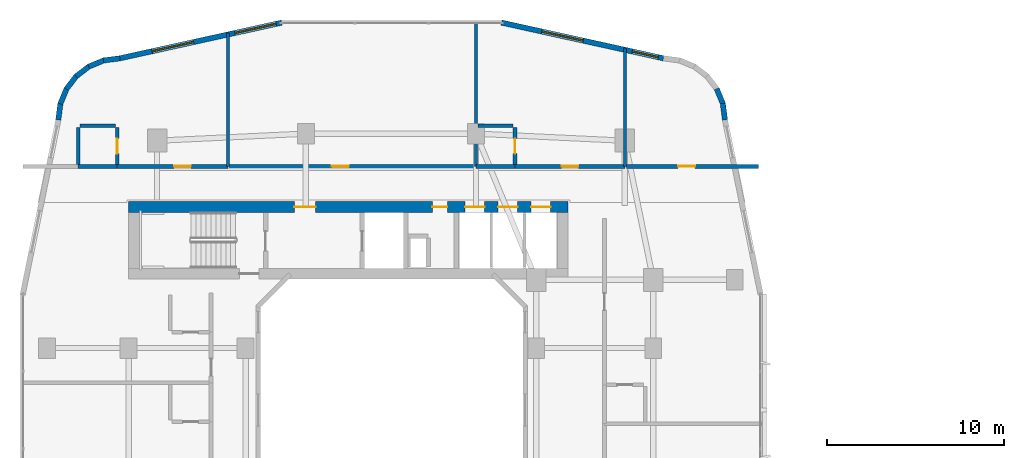
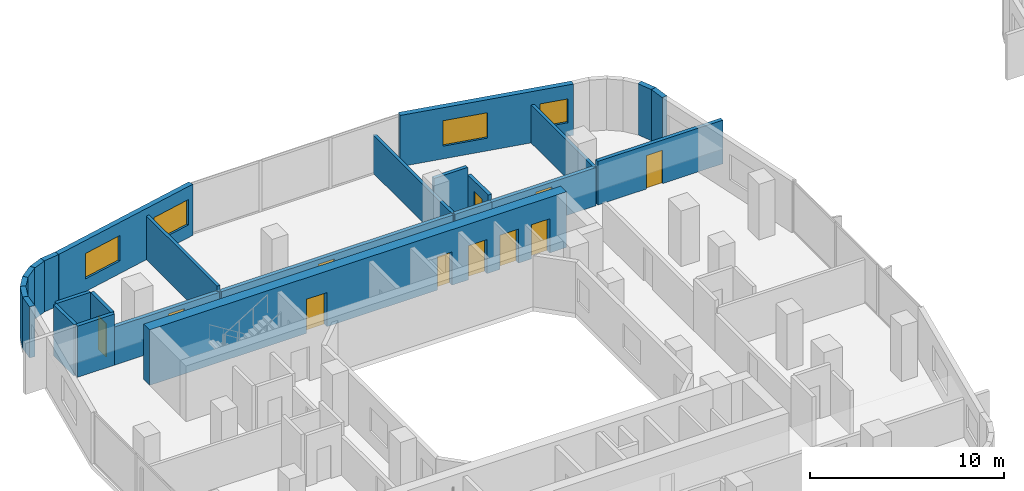
# One storey, part 16 of 26: 25 walls, 11 doors, 4 windows, 15 openings.
"""IFC4 building model written with IfcOpenShell, lengths in metres."""

from ifc_helpers import new_model, si_unit, derived_unit, direction, frame, frame_2d, origin, place, context, subcontext, project, spatial, rectangle, extrude, material, layer, layer_set, type_object, element, fill, save


model = new_model("IFC4")

# Units and contexts
model_context = context("Model", 3, precision=1e-05, world=origin(), true_north=direction((0.0, 1.0)))
body_context = subcontext(model_context, "Body", "Model", "MODEL_VIEW")
ifc_project = project(units=[si_unit("LENGTHUNIT", "METRE"), si_unit("AREAUNIT", "SQUARE_METRE"), si_unit("VOLUMEUNIT", "CUBIC_METRE"), si_unit("PLANEANGLEUNIT", "RADIAN"), si_unit("MASSUNIT", "GRAM", prefix="KILO"), derived_unit("THERMALTRANSMITTANCEUNIT", [(si_unit("POWERUNIT", "WATT"), 1), (si_unit("LENGTHUNIT", "METRE"), -2), (si_unit("THERMODYNAMICTEMPERATUREUNIT", "KELVIN"), -1)])], contexts=[model_context])

# Site, building, storey
site_placement = place(None, origin())
site = spatial("IfcSite", under=ifc_project, at=site_placement, CompositionType="ELEMENT")
building_placement = place(site_placement, origin())
building = spatial("IfcBuilding", under=site, at=building_placement, Name="Kivonza Crest Hotel", CompositionType="ELEMENT")
storey_placement = place(building_placement, frame((0.0, 0.0, 45.0)))
storey = spatial("IfcBuildingStorey", under=building, at=storey_placement, Name="L11", CompositionType="ELEMENT", Elevation=45.0)

# Walls
ifc_material_1 = material(Name="High-density acoustic masonry inter-tenancy wall", Category="masonry")
ifc_layer_1 = layer(ifc_material_1, 0.179931640625)
ifc_layer_set_1 = layer_set([ifc_layer_1], Name="High-density acoustic masonry inter-tenancy wall")
wall_type_1 = type_object("IfcWallType", Name="WL-ACOU-180", PredefinedType="SOLIDWALL", material=ifc_layer_set_1)
wall_1_placement = place(storey_placement, frame((11.800048828125, 38.75, 0.0), z_axis=(0.0, 0.0, 1.0), x_axis=(0.0, 1.0, 0.0)))
element("IfcWall", 1, at=wall_1_placement, inside=storey, type_object=wall_type_1, Name="L11 interior partition WA-L11-T1N-DIV1", PredefinedType="SOLIDWALL", context=body_context, shape_type="SweptSolid", body=[
    extrude(rectangle(XDim=7.5380859375, YDim=0.179931640625, at=frame_2d((3.76904296875, 0.0))), origin(), (0.0, 0.0, 1.0), 2.7451171875),
])
wall_2_placement = place(storey_placement, frame((25.800048828125, 38.75, 0.0), z_axis=(0.0, 0.0, 1.0), x_axis=(0.0, 1.0, 0.0)))
element("IfcWall", 2, at=wall_2_placement, inside=storey, type_object=wall_type_1, Name="L11 interior partition WA-L11-T1N-DIV2", PredefinedType="SOLIDWALL", context=body_context, shape_type="SweptSolid", body=[
    extrude(rectangle(XDim=8.18994140625, YDim=0.179931640625, at=frame_2d((4.094970703125, 0.0))), origin(), (0.0, 0.0, 1.0), 2.39501953125),
])
wall_3_placement = place(storey_placement, frame((34.199951171875, 38.75, 0.0), z_axis=(0.0, 0.0, 1.0), x_axis=(0.0, 1.0, 0.0)))
element("IfcWall", 3, at=wall_3_placement, inside=storey, type_object=wall_type_1, Name="L11 interior partition WA-L11-T1N-DIV3", PredefinedType="SOLIDWALL", context=body_context, shape_type="SweptSolid", body=[
    extrude(rectangle(XDim=6.674072265625, YDim=0.179931640625, at=frame_2d((3.3369140625, 0.0))), origin(), (0.0, 0.0, 1.0), 2.39501953125),
])
ifc_material_2 = material(Name="Autoclaved aerated concrete blockwork", Category="masonry")
ifc_layer_2 = layer(ifc_material_2, 0.219970703125)
ifc_layer_set_2 = layer_set([ifc_layer_2], Name="Autoclaved aerated concrete blockwork")
wall_type_2 = type_object("IfcWallType", Name="WL-ACOU-220", PredefinedType="SOLIDWALL", material=ifc_layer_set_2)
wall_4_placement = place(storey_placement, frame((3.35009765625, 38.75, 0.0), z_axis=(0.0, 0.0, 1.0), x_axis=(1.0, 0.0, 0.0)))
element("IfcWall", 4, at=wall_4_placement, inside=storey, type_object=wall_type_2, Name="L11 interior partition WA-L11-N01-BCORR", PredefinedType="SOLIDWALL", context=body_context, shape_type="SweptSolid", body=[
    extrude(rectangle(XDim=2.199951171875, YDim=0.219970703125, at=frame_2d((1.10009765625, 0.0))), origin(), (0.0, 0.0, 1.0), 3.219970703125),
])

# Wall, opening, door
wall_5_placement = place(storey_placement, frame((5.550048828125, 38.75, 0.0), z_axis=(0.0, 0.0, 1.0), x_axis=(1.0, 0.0, 0.0)))
wall_5 = element("IfcWall", 5, at=wall_5_placement, inside=storey, type_object=wall_type_2, Name="L11 interior partition WA-L11-N01-MCORR", PredefinedType="SOLIDWALL", context=body_context, shape_type="SweptSolid", body=[
    extrude(rectangle(XDim=6.25, YDim=0.219970703125, at=frame_2d((3.125, 0.0))), origin(), (0.0, 0.0, 1.0), 2.39501953125),
])
opening_1_placement = place(wall_5_placement, frame((3.2099609375, 0.0, 0.0)))
opening_1 = element("IfcOpeningElement", 6, at=opening_1_placement, cuts=wall_5, Name="Opening DU-60", PredefinedType="OPENING", context=body_context, shape_type="SweptSolid", body=[
    extrude(rectangle(XDim=0.949951171875, YDim=2.10009765625, at=frame_2d((0.47509765625, 1.050048828125))), frame((0.0, 0.1201171875, 0.0), z_axis=(0.0, -1.0, 0.0), x_axis=(1.0, 0.0, 0.0)), (0.0, 0.0, 1.0), 0.239990234375),
])
ifc_material_3 = material(Name="Hardwood timber oak", Category="wood")
door_type_1 = type_object("IfcDoorType", Name="DR-UNIT-950", OperationType="NOTDEFINED", PredefinedType="DOOR", material=ifc_material_3)
door_1_placement = place(opening_1_placement, origin())
door_1 = element("IfcDoor", 7, at=door_1_placement, inside=storey, type_object=door_type_1, Name="L11 N01 guest unit entrance fire door", OperationType="SINGLE_SWING_LEFT", OverallHeight=2.10009765625, OverallWidth=0.949951171875, PredefinedType="DOOR", context=body_context, shape_type="SweptSolid", body=[
    extrude(rectangle(XDim=0.949951171875, YDim=2.10009765625, at=frame_2d((0.47509765625, 1.050048828125))), frame((0.0, 0.02490234375, 0.0), z_axis=(0.0, -1.0, 0.0), x_axis=(1.0, 0.0, 0.0)), (0.0, 0.0, 1.0), 0.050048828125),
])
fill(opening_1, door_1)

wall_6_placement = place(storey_placement, frame((11.89990234375, 38.75, 0.0), z_axis=(0.0, 0.0, 1.0), x_axis=(1.0, 0.0, 0.0)))
wall_6 = element("IfcWall", 8, at=wall_6_placement, inside=storey, type_object=wall_type_2, Name="L11 interior partition WA-L11-HK-MAIN-S", PredefinedType="SOLIDWALL", context=body_context, shape_type="SweptSolid", body=[
    extrude(rectangle(XDim=13.800048828125, YDim=0.219970703125, at=frame_2d((6.89990234375, 0.0))), origin(), (0.0, 0.0, 1.0), 2.39501953125),
])
opening_2_placement = place(wall_6_placement, frame((5.77294921875, 0.0, 0.0)))
opening_2 = element("IfcOpeningElement", 9, at=opening_2_placement, cuts=wall_6, Name="Opening DF-60S", PredefinedType="OPENING", context=body_context, shape_type="SweptSolid", body=[
    extrude(rectangle(XDim=0.949951171875, YDim=2.10009765625, at=frame_2d((0.47509765625, 1.050048828125))), frame((0.0, 0.1201171875, 0.0), z_axis=(0.0, -1.0, 0.0), x_axis=(1.0, 0.0, 0.0)), (0.0, 0.0, 1.0), 0.239990234375),
])
door_type_2 = type_object("IfcDoorType", Name="DR-FD60-950", OperationType="NOTDEFINED", PredefinedType="DOOR", material=ifc_material_3)
door_2_placement = place(opening_2_placement, origin())
door_2 = element("IfcDoor", 10, at=door_2_placement, inside=storey, type_object=door_type_2, Name="L11 Housekeeping and Linen Room door", OperationType="SINGLE_SWING_RIGHT", OverallHeight=2.10009765625, OverallWidth=0.949951171875, PredefinedType="DOOR", context=body_context, shape_type="SweptSolid", body=[
    extrude(rectangle(XDim=0.949951171875, YDim=2.10009765625, at=frame_2d((0.47509765625, 1.050048828125))), frame((0.0, 0.02490234375, 0.0), z_axis=(0.0, -1.0, 0.0), x_axis=(1.0, 0.0, 0.0)), (0.0, 0.0, 1.0), 0.050048828125),
])
fill(opening_2, door_2)

# Wall
wall_7_placement = place(storey_placement, frame((25.800048828125, 38.75, 0.0), z_axis=(0.0, 0.0, 1.0), x_axis=(1.0, 0.0, 0.0)))
element("IfcWall", 11, at=wall_7_placement, inside=storey, type_object=wall_type_2, Name="L11 interior partition WA-L11-N02-BCORR", PredefinedType="SOLIDWALL", context=body_context, shape_type="SweptSolid", body=[
    extrude(rectangle(XDim=2.199951171875, YDim=0.219970703125, at=frame_2d((1.10009765625, 0.0))), origin(), (0.0, 0.0, 1.0), 2.39501953125),
])

# Wall, opening, door
wall_8_placement = place(storey_placement, frame((28.0, 38.75, 0.0), z_axis=(0.0, 0.0, 1.0), x_axis=(1.0, 0.0, 0.0)))
wall_8 = element("IfcWall", 12, at=wall_8_placement, inside=storey, type_object=wall_type_2, Name="L11 interior partition WA-L11-N02-MCORR", PredefinedType="SOLIDWALL", context=body_context, shape_type="SweptSolid", body=[
    extrude(rectangle(XDim=6.199951171875, YDim=0.219970703125, at=frame_2d((3.10009765625, 0.0))), origin(), (0.0, 0.0, 1.0), 2.39501953125),
])
opening_3_placement = place(wall_8_placement, frame((2.625, 0.0, 0.0)))
opening_3 = element("IfcOpeningElement", 13, at=opening_3_placement, cuts=wall_8, Name="Opening DU-60", PredefinedType="OPENING", context=body_context, shape_type="SweptSolid", body=[
    extrude(rectangle(XDim=0.949951171875, YDim=2.10009765625, at=frame_2d((0.47509765625, 1.050048828125))), frame((0.0, 0.1201171875, 0.0), z_axis=(0.0, -1.0, 0.0), x_axis=(1.0, 0.0, 0.0)), (0.0, 0.0, 1.0), 0.239990234375),
])
door_3_placement = place(opening_3_placement, origin())
door_3 = element("IfcDoor", 14, at=door_3_placement, inside=storey, type_object=door_type_1, Name="L11 N02 guest unit entrance fire door", OperationType="SINGLE_SWING_RIGHT", OverallHeight=2.10009765625, OverallWidth=0.949951171875, PredefinedType="DOOR", context=body_context, shape_type="SweptSolid", body=[
    extrude(rectangle(XDim=0.949951171875, YDim=2.10009765625, at=frame_2d((0.47509765625, 1.050048828125))), frame((0.0, 0.02490234375, 0.0), z_axis=(0.0, -1.0, 0.0), x_axis=(1.0, 0.0, 0.0)), (0.0, 0.0, 1.0), 0.050048828125),
])
fill(opening_3, door_3)

wall_9_placement = place(storey_placement, frame((34.300048828125, 38.75, 0.0), z_axis=(0.0, 0.0, 1.0), x_axis=(1.0, 0.0, 0.0)))
wall_9 = element("IfcWall", 15, at=wall_9_placement, inside=storey, type_object=wall_type_2, Name="L11 interior partition WA-L11-N-AMEN-S", PredefinedType="SOLIDWALL", context=body_context, shape_type="SweptSolid", body=[
    extrude(rectangle(XDim=7.43994140625, YDim=0.219970703125, at=frame_2d((3.719970703125, 0.0))), origin(), (0.0, 0.0, 1.0), 2.7451171875),
])
opening_4_placement = place(wall_9_placement, frame((2.910888671875, 0.0, 0.0)))
opening_4 = element("IfcOpeningElement", 16, at=opening_4_placement, cuts=wall_9, Name="Opening DF-60S", PredefinedType="OPENING", context=body_context, shape_type="SweptSolid", body=[
    extrude(rectangle(XDim=0.949951171875, YDim=2.10009765625, at=frame_2d((0.47509765625, 1.050048828125))), frame((0.0, 0.1201171875, 0.0), z_axis=(0.0, -1.0, 0.0), x_axis=(1.0, 0.0, 0.0)), (0.0, 0.0, 1.0), 0.239990234375),
])
door_4_placement = place(opening_4_placement, origin())
door_4 = element("IfcDoor", 17, at=door_4_placement, inside=storey, type_object=door_type_2, Name="L11 Guest Business Office door", OperationType="SINGLE_SWING_LEFT", OverallHeight=2.10009765625, OverallWidth=0.949951171875, PredefinedType="DOOR", context=body_context, shape_type="SweptSolid", body=[
    extrude(rectangle(XDim=0.949951171875, YDim=2.10009765625, at=frame_2d((0.47509765625, 1.050048828125))), frame((0.0, 0.02490234375, 0.0), z_axis=(0.0, -1.0, 0.0), x_axis=(1.0, 0.0, 0.0)), (0.0, 0.0, 1.0), 0.050048828125),
])
fill(opening_4, door_4)

# Wall, openings, doors
ifc_material_4 = material(Name="Concrete C60/75", Category="concrete")
ifc_layer_3 = layer(ifc_material_4, 0.60009765625)
ifc_layer_set_3 = layer_set([ifc_layer_3], Name="Concrete C60/75")
wall_type_3 = type_object("IfcWallType", Name="WL-CORE-600", PredefinedType="SHEAR", material=ifc_layer_set_3)
wall_10_placement = place(storey_placement, frame((6.199951171875, 36.4599609375, 0.0), z_axis=(0.0, 0.0, 1.0), x_axis=(1.0, 0.0, 0.0)))
wall_10 = element("IfcWall", 18, at=wall_10_placement, inside=storey, type_object=wall_type_3, Name="Core wall T1-N North L11", PredefinedType="SHEAR", context=body_context, shape_type="SweptSolid", body=[
    extrude(rectangle(XDim=24.800048828125, YDim=0.60009765625, at=frame_2d((12.39990234375, 0.0))), origin(), (0.0, 0.0, 1.0), 3.5),
])
opening_5_placement = place(wall_10_placement, frame((9.35009765625, 0.0, 0.0)))
opening_5 = element("IfcOpeningElement", 19, at=opening_5_placement, cuts=wall_10, Name="Opening DF-60", PredefinedType="OPENING", context=body_context, shape_type="SweptSolid", body=[
    extrude(rectangle(XDim=1.199951171875, YDim=2.14990234375, at=frame_2d((0.60009765625, 1.074951171875))), frame((0.0, 0.31005859375, 0.0), z_axis=(0.0, -1.0, 0.0), x_axis=(1.0, 0.0, 0.0)), (0.0, 0.0, 1.0), 0.6201171875),
])
opening_6_placement = place(wall_10_placement, frame((17.139892578125, 0.0, 0.0)))
opening_6 = element("IfcOpeningElement", 20, at=opening_6_placement, cuts=wall_10, Name="Opening DF-60R", PredefinedType="OPENING", context=body_context, shape_type="SweptSolid", body=[
    extrude(rectangle(XDim=0.85009765625, YDim=2.10009765625, at=frame_2d((0.425048828125, 1.050048828125))), frame((0.0, 0.31005859375, 0.0), z_axis=(0.0, -1.0, 0.0), x_axis=(1.0, 0.0, 0.0)), (0.0, 0.0, 1.0), 0.6201171875),
])
opening_7_placement = place(wall_10_placement, frame((18.98291015625, 0.0, 0.0)))
opening_7 = element("IfcOpeningElement", 21, at=opening_7_placement, cuts=wall_10, Name="Opening LD-120", PredefinedType="OPENING", context=body_context, shape_type="SweptSolid", body=[
    extrude(rectangle(XDim=1.10009765625, YDim=2.14990234375, at=frame_2d((0.550048828125, 1.074951171875))), frame((0.0, 0.31005859375, 0.0), z_axis=(0.0, -1.0, 0.0), x_axis=(1.0, 0.0, 0.0)), (0.0, 0.0, 1.0), 0.6201171875),
])
opening_8_placement = place(wall_10_placement, frame((20.85009765625, 0.0, 0.0)))
opening_8 = element("IfcOpeningElement", 22, at=opening_8_placement, cuts=wall_10, Name="Opening LD-120", PredefinedType="OPENING", context=body_context, shape_type="SweptSolid", body=[
    extrude(rectangle(XDim=1.10009765625, YDim=2.14990234375, at=frame_2d((0.550048828125, 1.074951171875))), frame((0.0, 0.31005859375, 0.0), z_axis=(0.0, -1.0, 0.0), x_axis=(1.0, 0.0, 0.0)), (0.0, 0.0, 1.0), 0.6201171875),
])
opening_9_placement = place(wall_10_placement, frame((22.716064453125, 0.0, 0.0)))
opening_9 = element("IfcOpeningElement", 23, at=opening_9_placement, cuts=wall_10, Name="Opening LD-120", PredefinedType="OPENING", context=body_context, shape_type="SweptSolid", body=[
    extrude(rectangle(XDim=1.10009765625, YDim=2.14990234375, at=frame_2d((0.550048828125, 1.074951171875))), frame((0.0, 0.31005859375, 0.0), z_axis=(0.0, -1.0, 0.0), x_axis=(1.0, 0.0, 0.0)), (0.0, 0.0, 1.0), 0.6201171875),
])
door_type_3 = type_object("IfcDoorType", Name="DR-FD60-1200", OperationType="NOTDEFINED", PredefinedType="DOOR", material=ifc_material_3)
door_5_placement = place(opening_5_placement, origin())
door_5 = element("IfcDoor", 24, at=door_5_placement, inside=storey, type_object=door_type_3, Name="L11 T1-N firefighting lobby fire door", OperationType="SINGLE_SWING_RIGHT", OverallHeight=2.14990234375, OverallWidth=1.199951171875, PredefinedType="DOOR", context=body_context, shape_type="SweptSolid", body=[
    extrude(rectangle(XDim=1.199951171875, YDim=2.14990234375, at=frame_2d((0.60009765625, 1.074951171875))), frame((0.0, 0.02490234375, 0.0), z_axis=(0.0, -1.0, 0.0), x_axis=(1.0, 0.0, 0.0)), (0.0, 0.0, 1.0), 0.050048828125),
])
fill(opening_5, door_5)
door_type_4 = type_object("IfcDoorType", Name="DR-FD60-850", OperationType="NOTDEFINED", PredefinedType="DOOR", material=ifc_material_3)
door_6_placement = place(opening_6_placement, origin())
door_6 = element("IfcDoor", 25, at=door_6_placement, inside=storey, type_object=door_type_4, Name="L11 T1-N core room door", OperationType="SINGLE_SWING_RIGHT", OverallHeight=2.10009765625, OverallWidth=0.85009765625, PredefinedType="DOOR", context=body_context, shape_type="SweptSolid", body=[
    extrude(rectangle(XDim=0.85009765625, YDim=2.10009765625, at=frame_2d((0.425048828125, 1.050048828125))), frame((0.0, 0.02490234375, 0.0), z_axis=(0.0, -1.0, 0.0), x_axis=(1.0, 0.0, 0.0)), (0.0, 0.0, 1.0), 0.050048828125),
])
fill(opening_6, door_6)
ifc_material_5 = material(Name="Stainless steel", Category="steel")
door_type_5 = type_object("IfcDoorType", Name="DR-LD120-1100", OperationType="NOTDEFINED", PredefinedType="DOOR", material=ifc_material_5)
door_7_placement = place(opening_7_placement, origin())
door_7 = element("IfcDoor", 26, at=door_7_placement, inside=storey, type_object=door_type_5, Name="L11 PL-T1-L1 passenger lift sliding landing door", OperationType="DOUBLE_DOOR_SLIDING", OverallHeight=2.14990234375, OverallWidth=1.10009765625, PredefinedType="DOOR", context=body_context, shape_type="SweptSolid", body=[
    extrude(rectangle(XDim=1.10009765625, YDim=2.14990234375, at=frame_2d((0.550048828125, 1.074951171875))), frame((0.0, 0.02490234375, 0.0), z_axis=(0.0, -1.0, 0.0), x_axis=(1.0, 0.0, 0.0)), (0.0, 0.0, 1.0), 0.050048828125),
])
fill(opening_7, door_7)
door_8_placement = place(opening_8_placement, origin())
door_8 = element("IfcDoor", 27, at=door_8_placement, inside=storey, type_object=door_type_5, Name="L11 PL-T1-L2 passenger lift sliding landing door", OperationType="DOUBLE_DOOR_SLIDING", OverallHeight=2.14990234375, OverallWidth=1.10009765625, PredefinedType="DOOR", context=body_context, shape_type="SweptSolid", body=[
    extrude(rectangle(XDim=1.10009765625, YDim=2.14990234375, at=frame_2d((0.550048828125, 1.074951171875))), frame((0.0, 0.02490234375, 0.0), z_axis=(0.0, -1.0, 0.0), x_axis=(1.0, 0.0, 0.0)), (0.0, 0.0, 1.0), 0.050048828125),
])
fill(opening_8, door_8)
door_9_placement = place(opening_9_placement, origin())
door_9 = element("IfcDoor", 28, at=door_9_placement, inside=storey, type_object=door_type_5, Name="L11 PL-T1-L3 passenger lift sliding landing door", OperationType="DOUBLE_DOOR_SLIDING", OverallHeight=2.14990234375, OverallWidth=1.10009765625, PredefinedType="DOOR", context=body_context, shape_type="SweptSolid", body=[
    extrude(rectangle(XDim=1.10009765625, YDim=2.14990234375, at=frame_2d((0.550048828125, 1.074951171875))), frame((0.0, 0.02490234375, 0.0), z_axis=(0.0, -1.0, 0.0), x_axis=(1.0, 0.0, 0.0)), (0.0, 0.0, 1.0), 0.050048828125),
])
fill(opening_9, door_9)

# Walls
ifc_material_6 = material(Name="Precast concrete C40/50", Category="concrete")
ifc_layer_4 = layer(ifc_material_6, 0.300048828125)
ifc_layer_set_4 = layer_set([ifc_layer_4], Name="Precast concrete C40/50")
wall_type_4 = type_object("IfcWallType", Name="WL-EXT-300", PredefinedType="STANDARD", material=ifc_layer_set_4)
wall_11_placement = place(storey_placement, frame((39.85205078125, 41.3720703125, 0.0), z_axis=(0.0, 0.0, 1.0), x_axis=(-0.131174864804, 0.991359246108, 0.0)))
element("IfcWall", 29, at=wall_11_placement, inside=storey, type_object=wall_type_4, Name="L11 T1 exterior insulated wall 19", PredefinedType="STANDARD", context=body_context, shape_type="SweptSolid", body=[
    extrude(rectangle(XDim=0.93798828125, YDim=0.300048828125, at=frame_2d((0.468994140625, 0.0))), origin(), (0.0, 0.0, 1.0), 3.219970703125),
])
wall_12_placement = place(storey_placement, frame((39.748046875, 42.251953125, 0.0), z_axis=(0.0, 0.0, 1.0), x_axis=(-0.382344263057, 0.924019948111, 0.0)))
element("IfcWall", 30, at=wall_12_placement, inside=storey, type_object=wall_type_4, Name="L11 T1 exterior insulated wall 20", PredefinedType="STANDARD", context=body_context, shape_type="SweptSolid", body=[
    extrude(rectangle(XDim=0.95458984375, YDim=0.300048828125, at=frame_2d((0.477294921875, 0.0))), origin(), (0.0, 0.0, 1.0), 3.219970703125),
])

# Wall, openings, windows
wall_13_placement = place(storey_placement, frame((36.3759765625, 44.85205078125, 0.0), z_axis=(0.0, 0.0, 1.0), x_axis=(-0.97654500432, 0.215313386808, 0.0)))
wall_13 = element("IfcWall", 31, at=wall_13_placement, inside=storey, type_object=wall_type_4, Name="L11 T1 exterior insulated wall 25", PredefinedType="STANDARD", context=body_context, shape_type="SweptSolid", body=[
    extrude(rectangle(XDim=9.353515625, YDim=0.300048828125, at=frame_2d((4.6767578125, 0.0))), origin(), (0.0, 0.0, 1.0), 3.219970703125),
])
opening_10_placement = place(wall_13_placement, frame((0.299072265625, 0.0, 0.85009765625)))
opening_10 = element("IfcOpeningElement", 32, at=opening_10_placement, cuts=wall_13, Name="Opening WN-02", PredefinedType="OPENING", context=body_context, shape_type="SweptSolid", body=[
    extrude(rectangle(XDim=1.5, YDim=1.5, at=frame_2d((0.75, 0.75))), frame((0.0, 0.16015625, 0.0), z_axis=(0.0, -1.0, 0.0), x_axis=(1.0, 0.0, 0.0)), (0.0, 0.0, 1.0), 0.320068359375),
])
opening_11_placement = place(wall_13_placement, frame((4.631103515625, 0.0, 0.800048828125)))
opening_11 = element("IfcOpeningElement", 33, at=opening_11_placement, cuts=wall_13, Name="Opening WN-05", PredefinedType="OPENING", context=body_context, shape_type="SweptSolid", body=[
    extrude(rectangle(XDim=2.39990234375, YDim=1.60009765625, at=frame_2d((1.199951171875, 0.800048828125))), frame((0.0, 0.16015625, 0.0), z_axis=(0.0, -1.0, 0.0), x_axis=(1.0, 0.0, 0.0)), (0.0, 0.0, 1.0), 0.320068359375),
])
ifc_material_7 = material(Name="Thermally broken bronze aluminium and low-E double glazing", Category="aluminium")
window_type_1 = type_object("IfcWindowType", Name="WN-150x150", PartitioningType="DOUBLE_PANEL_VERTICAL", PredefinedType="WINDOW", material=ifc_material_7)
window_1_placement = place(opening_10_placement, origin())
window_1 = element("IfcWindow", 34, at=window_1_placement, inside=storey, type_object=window_type_1, Name="L11 T1 facade window 25 bay 1", OverallHeight=1.5, OverallWidth=1.5, PartitioningType="SINGLE_PANEL", PredefinedType="WINDOW", context=body_context, shape_type="SweptSolid", body=[
    extrude(rectangle(XDim=1.5, YDim=1.5, at=frame_2d((0.75, 0.75))), frame((0.0, 0.030029296875, 0.0), z_axis=(0.0, -1.0, 0.0), x_axis=(1.0, 0.0, 0.0)), (0.0, 0.0, 1.0), 0.06005859375),
])
fill(opening_10, window_1)
window_type_2 = type_object("IfcWindowType", Name="WN-240x160", PartitioningType="TRIPLE_PANEL_VERTICAL", PredefinedType="WINDOW", material=ifc_material_7)
window_2_placement = place(opening_11_placement, origin())
window_2 = element("IfcWindow", 35, at=window_2_placement, inside=storey, type_object=window_type_2, Name="L11 T1 facade window 25 bay 2", OverallHeight=1.60009765625, OverallWidth=2.39990234375, PartitioningType="SINGLE_PANEL", PredefinedType="WINDOW", context=body_context, shape_type="SweptSolid", body=[
    extrude(rectangle(XDim=2.39990234375, YDim=1.60009765625, at=frame_2d((1.199951171875, 0.800048828125))), frame((0.0, 0.030029296875, 0.0), z_axis=(0.0, -1.0, 0.0), x_axis=(1.0, 0.0, 0.0)), (0.0, 0.0, 1.0), 0.06005859375),
])
fill(opening_11, window_2)

wall_14_placement = place(storey_placement, frame((14.837890625, 46.865966796875, 0.0), z_axis=(0.0, 0.0, 1.0), x_axis=(-0.9765437942, -0.215318875183, 0.0)))
wall_14 = element("IfcWall", 36, at=wall_14_placement, inside=storey, type_object=wall_type_4, Name="L11 T1 exterior insulated wall 27", PredefinedType="STANDARD", context=body_context, shape_type="SweptSolid", body=[
    extrude(rectangle(XDim=9.353271484375, YDim=0.300048828125, at=frame_2d((4.6767578125, 0.0))), origin(), (0.0, 0.0, 1.0), 3.219970703125),
])
opening_12_placement = place(wall_14_placement, frame((0.31591796875, 0.0, 0.800048828125)))
opening_12 = element("IfcOpeningElement", 37, at=opening_12_placement, cuts=wall_14, Name="Opening WN-05", PredefinedType="OPENING", context=body_context, shape_type="SweptSolid", body=[
    extrude(rectangle(XDim=2.39990234375, YDim=1.60009765625, at=frame_2d((1.199951171875, 0.800048828125))), frame((0.0, 0.16015625, 0.0), z_axis=(0.0, -1.0, 0.0), x_axis=(1.0, 0.0, 0.0)), (0.0, 0.0, 1.0), 0.320068359375),
])
opening_13_placement = place(wall_14_placement, frame((5.096923828125, 0.0, 0.800048828125)))
opening_13 = element("IfcOpeningElement", 38, at=opening_13_placement, cuts=wall_14, Name="Opening WN-05", PredefinedType="OPENING", context=body_context, shape_type="SweptSolid", body=[
    extrude(rectangle(XDim=2.39990234375, YDim=1.60009765625, at=frame_2d((1.199951171875, 0.800048828125))), frame((0.0, 0.16015625, 0.0), z_axis=(0.0, -1.0, 0.0), x_axis=(1.0, 0.0, 0.0)), (0.0, 0.0, 1.0), 0.320068359375),
])
window_3_placement = place(opening_12_placement, origin())
window_3 = element("IfcWindow", 39, at=window_3_placement, inside=storey, type_object=window_type_2, Name="L11 T1 facade window 27 bay 1", OverallHeight=1.60009765625, OverallWidth=2.39990234375, PartitioningType="SINGLE_PANEL", PredefinedType="WINDOW", context=body_context, shape_type="SweptSolid", body=[
    extrude(rectangle(XDim=2.39990234375, YDim=1.60009765625, at=frame_2d((1.199951171875, 0.800048828125))), frame((0.0, 0.030029296875, 0.0), z_axis=(0.0, -1.0, 0.0), x_axis=(1.0, 0.0, 0.0)), (0.0, 0.0, 1.0), 0.06005859375),
])
fill(opening_12, window_3)
window_4_placement = place(opening_13_placement, origin())
window_4 = element("IfcWindow", 40, at=window_4_placement, inside=storey, type_object=window_type_2, Name="L11 T1 facade window 27 bay 2", OverallHeight=1.60009765625, OverallWidth=2.39990234375, PartitioningType="SINGLE_PANEL", PredefinedType="WINDOW", context=body_context, shape_type="SweptSolid", body=[
    extrude(rectangle(XDim=2.39990234375, YDim=1.60009765625, at=frame_2d((1.199951171875, 0.800048828125))), frame((0.0, 0.030029296875, 0.0), z_axis=(0.0, -1.0, 0.0), x_axis=(1.0, 0.0, 0.0)), (0.0, 0.0, 1.0), 0.06005859375),
])
fill(opening_13, window_4)

# Walls
wall_15_placement = place(storey_placement, frame((5.7080078125, 44.85205078125, 0.0), z_axis=(0.0, 0.0, 1.0), x_axis=(-0.991359246108, -0.131174864804, 0.0)))
element("IfcWall", 41, at=wall_15_placement, inside=storey, type_object=wall_type_4, Name="L11 T1 exterior insulated wall 28", PredefinedType="STANDARD", context=body_context, shape_type="SweptSolid", body=[
    extrude(rectangle(XDim=0.93798828125, YDim=0.300048828125, at=frame_2d((0.468994140625, 0.0))), origin(), (0.0, 0.0, 1.0), 3.219970703125),
])
wall_16_placement = place(storey_placement, frame((4.827880859375, 44.748046875, 0.0), z_axis=(0.0, 0.0, 1.0), x_axis=(-0.923982547689, -0.382434636986, 0.0)))
element("IfcWall", 42, at=wall_16_placement, inside=storey, type_object=wall_type_4, Name="L11 T1 exterior insulated wall 29", PredefinedType="STANDARD", context=body_context, shape_type="SweptSolid", body=[
    extrude(rectangle(XDim=0.954345703125, YDim=0.300048828125, at=frame_2d((0.47705078125, 0.0))), origin(), (0.0, 0.0, 1.0), 3.219970703125),
])
for number, where, z_axis, x_axis, name in (
    (43, (3.990966796875, 44.4140625, 0.0), (0.0, 0.0, 1.0), (-0.793668068435, -0.608351047625, 0.0), "L11 T1 exterior insulated wall 30"),
    (44, (3.26806640625, 43.875, 0.0), (0.0, 0.0, 1.0), (-0.608351047625, -0.793668068435, 0.0), "L11 T1 exterior insulated wall 31"),
):
    element("IfcWall", number, at=place(storey_placement, frame(where, z_axis=z_axis, x_axis=x_axis)), inside=storey, type_object=wall_type_4, Name=name, PredefinedType="STANDARD", context=body_context, shape_type="SweptSolid", body=[
        extrude(rectangle(XDim=0.955078125, YDim=0.300048828125, at=frame_2d((0.4775390625, 0.0))), origin(), (0.0, 0.0, 1.0), 3.219970703125),
    ])
wall_17_placement = place(storey_placement, frame((2.7109375, 43.166015625, 0.0), z_axis=(0.0, 0.0, 1.0), x_axis=(-0.382344263057, -0.924019948111, 0.0)))
element("IfcWall", 45, at=wall_17_placement, inside=storey, type_object=wall_type_4, Name="L11 T1 exterior insulated wall 32", PredefinedType="STANDARD", context=body_context, shape_type="SweptSolid", body=[
    extrude(rectangle(XDim=0.95458984375, YDim=0.300048828125, at=frame_2d((0.477294921875, 0.0))), origin(), (0.0, 0.0, 1.0), 3.219970703125),
])
wall_18_placement = place(storey_placement, frame((2.35498046875, 42.3369140625, 0.0), z_axis=(0.0, 0.0, 1.0), x_axis=(-0.130454512571, -0.991454295543, 0.0)))
element("IfcWall", 46, at=wall_18_placement, inside=storey, type_object=wall_type_4, Name="L11 T1 exterior insulated wall 33", PredefinedType="STANDARD", context=body_context, shape_type="SweptSolid", body=[
    extrude(rectangle(XDim=0.97314453125, YDim=0.300048828125, at=frame_2d((0.486572265625, 0.0))), origin(), (0.0, 0.0, 1.0), 3.219970703125),
])

# Wall, opening, door
ifc_material_8 = material(Name="Moisture-resistant plumbing chase partition wall", Category="gypsum")
ifc_layer_5 = layer(ifc_material_8, 0.199951171875)
ifc_layer_set_5 = layer_set([ifc_layer_5], Name="Moisture-resistant plumbing chase partition wall")
wall_type_5 = type_object("IfcWallType", Name="WL-PLUMB-200", PredefinedType="PLUMBINGWALL", material=ifc_layer_set_5)
wall_19_placement = place(storey_placement, frame((5.550048828125, 38.85009765625, 0.0), z_axis=(0.0, 0.0, 1.0), x_axis=(0.0, 1.0, 0.0)))
wall_19 = element("IfcWall", 47, at=wall_19_placement, inside=storey, type_object=wall_type_5, Name="L11 interior partition WW-L11-N01-BV", PredefinedType="PLUMBINGWALL", context=body_context, shape_type="SweptSolid", body=[
    extrude(rectangle(XDim=2.099853515625, YDim=0.199951171875, at=frame_2d((1.0498046875, 0.0))), origin(), (0.0, 0.0, 1.0), 3.219970703125),
])
opening_14_placement = place(wall_19_placement, frame((0.625, 0.0, 0.0)))
opening_14 = element("IfcOpeningElement", 48, at=opening_14_placement, cuts=wall_19, Name="Opening DI-85", PredefinedType="OPENING", context=body_context, shape_type="SweptSolid", body=[
    extrude(rectangle(XDim=0.85009765625, YDim=2.10009765625, at=frame_2d((0.425048828125, 1.050048828125))), frame((0.0, 0.10986328125, 0.0), z_axis=(0.0, -1.0, 0.0), x_axis=(1.0, 0.0, 0.0)), (0.0, 0.0, 1.0), 0.219970703125),
])
door_type_6 = type_object("IfcDoorType", Name="DR-INT-850", OperationType="NOTDEFINED", PredefinedType="DOOR", material=ifc_material_3)
door_10_placement = place(opening_14_placement, frame((0.85009765625, 0.0, 0.0), z_axis=(0.0, 0.0, 1.0), x_axis=(-1.0, 0.0, 0.0)))
door_10 = element("IfcDoor", 49, at=door_10_placement, inside=storey, type_object=door_type_6, Name="L11 N01 en-suite bathroom door", OperationType="SINGLE_SWING_RIGHT", OverallHeight=2.10009765625, OverallWidth=0.85009765625, PredefinedType="DOOR", context=body_context, shape_type="SweptSolid", body=[
    extrude(rectangle(XDim=0.85009765625, YDim=2.10009765625, at=frame_2d((0.425048828125, 1.050048828125))), frame((0.0, 0.02490234375, 0.0), z_axis=(0.0, -1.0, 0.0), x_axis=(1.0, 0.0, 0.0)), (0.0, 0.0, 1.0), 0.050048828125),
])
fill(opening_14, door_10)

# Walls
wall_20_placement = place(storey_placement, frame((3.449951171875, 41.050048828125, 0.0), z_axis=(0.0, 0.0, 1.0), x_axis=(1.0, 0.0, 0.0)))
element("IfcWall", 50, at=wall_20_placement, inside=storey, type_object=wall_type_5, Name="L11 interior partition WW-L11-N01-BH", PredefinedType="PLUMBINGWALL", context=body_context, shape_type="SweptSolid", body=[
    extrude(rectangle(XDim=2.0, YDim=0.199951171875, at=frame_2d((1.0, 0.0))), origin(), (0.0, 0.0, 1.0), 3.219970703125),
])
wall_21_placement = place(storey_placement, frame((3.35009765625, 38.85009765625, 0.0), z_axis=(0.0, 0.0, 1.0), x_axis=(0.0, 1.0, 0.0)))
element("IfcWall", 51, at=wall_21_placement, inside=storey, type_object=wall_type_5, Name="L11 interior partition WW-L11-N01-BVW", PredefinedType="PLUMBINGWALL", context=body_context, shape_type="SweptSolid", body=[
    extrude(rectangle(XDim=2.099853515625, YDim=0.199951171875, at=frame_2d((1.0498046875, 0.0))), origin(), (0.0, 0.0, 1.0), 3.219970703125),
])

# Wall, opening, door
wall_22_placement = place(storey_placement, frame((28.0, 38.85009765625, 0.0), z_axis=(0.0, 0.0, 1.0), x_axis=(0.0, 1.0, 0.0)))
wall_22 = element("IfcWall", 52, at=wall_22_placement, inside=storey, type_object=wall_type_5, Name="L11 interior partition WW-L11-N02-BV", PredefinedType="PLUMBINGWALL", context=body_context, shape_type="SweptSolid", body=[
    extrude(rectangle(XDim=2.099853515625, YDim=0.199951171875, at=frame_2d((1.0498046875, 0.0))), origin(), (0.0, 0.0, 1.0), 2.7451171875),
])
opening_15_placement = place(wall_22_placement, frame((0.625, 0.0, 0.0)))
opening_15 = element("IfcOpeningElement", 53, at=opening_15_placement, cuts=wall_22, Name="Opening DI-85", PredefinedType="OPENING", context=body_context, shape_type="SweptSolid", body=[
    extrude(rectangle(XDim=0.85009765625, YDim=2.10009765625, at=frame_2d((0.425048828125, 1.050048828125))), frame((0.0, 0.10986328125, 0.0), z_axis=(0.0, -1.0, 0.0), x_axis=(1.0, 0.0, 0.0)), (0.0, 0.0, 1.0), 0.219970703125),
])
door_11_placement = place(opening_15_placement, frame((0.85009765625, 0.0, 0.0), z_axis=(0.0, 0.0, 1.0), x_axis=(-1.0, 0.0, 0.0)))
door_11 = element("IfcDoor", 54, at=door_11_placement, inside=storey, type_object=door_type_6, Name="L11 N02 en-suite bathroom door", OperationType="SINGLE_SWING_LEFT", OverallHeight=2.10009765625, OverallWidth=0.85009765625, PredefinedType="DOOR", context=body_context, shape_type="SweptSolid", body=[
    extrude(rectangle(XDim=0.85009765625, YDim=2.10009765625, at=frame_2d((0.425048828125, 1.050048828125))), frame((0.0, 0.02490234375, 0.0), z_axis=(0.0, -1.0, 0.0), x_axis=(1.0, 0.0, 0.0)), (0.0, 0.0, 1.0), 0.050048828125),
])
fill(opening_15, door_11)

# Wall
wall_23_placement = place(storey_placement, frame((25.89990234375, 41.050048828125, 0.0), z_axis=(0.0, 0.0, 1.0), x_axis=(1.0, 0.0, 0.0)))
element("IfcWall", 55, at=wall_23_placement, inside=storey, type_object=wall_type_5, Name="L11 interior partition WW-L11-N02-BH", PredefinedType="PLUMBINGWALL", context=body_context, shape_type="SweptSolid", body=[
    extrude(rectangle(XDim=2.0, YDim=0.199951171875, at=frame_2d((1.0, 0.0))), origin(), (0.0, 0.0, 1.0), 3.219970703125),
])

save(model, "model.ifc")
